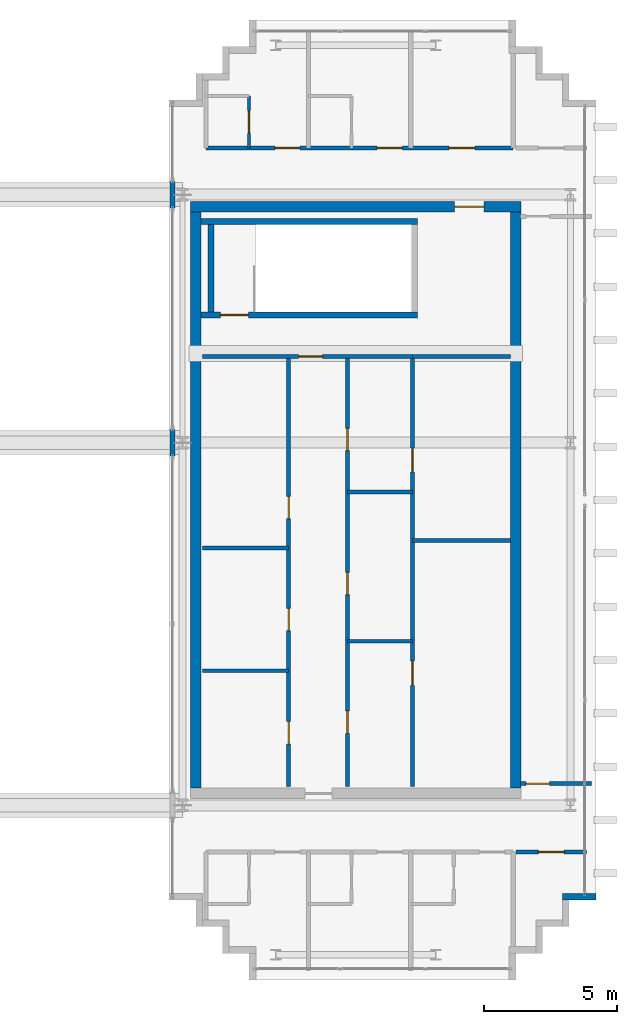
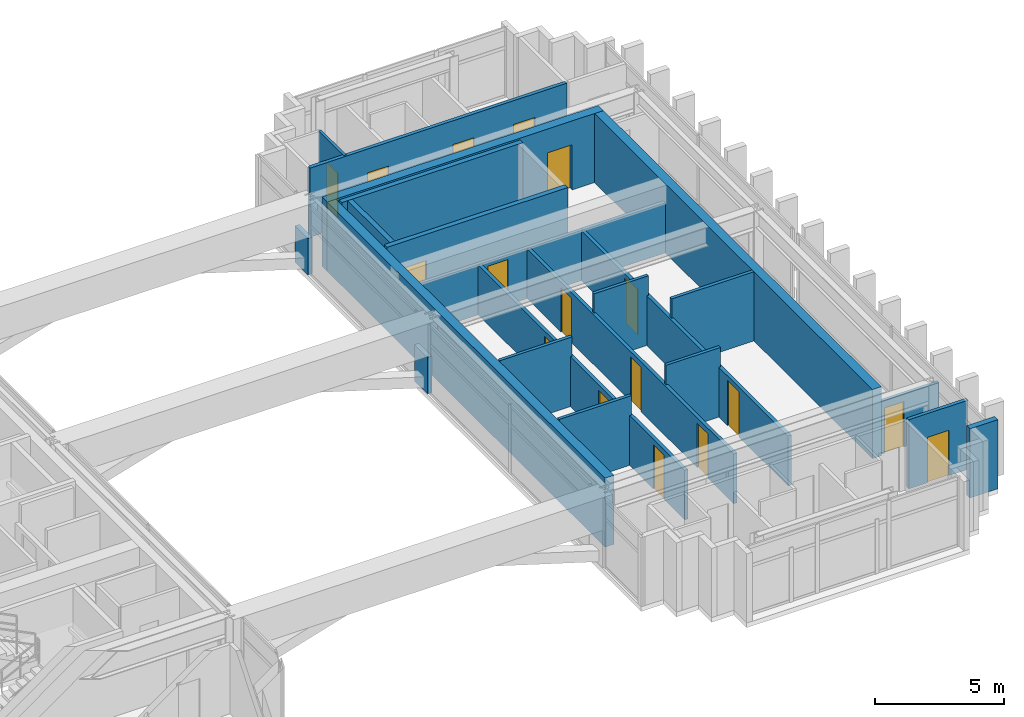
# One storey, part 25 of 28: 23 walls, 17 doors, 17 openings.
"""IFC4 building model written with IfcOpenShell, lengths in metres."""

from ifc_helpers import new_model, si_unit, direction, frame, frame_2d, origin, place, context, subcontext, project, spatial, rectangle, extrude, source, transform, mapped, material, layer, layer_set, type_object, element, fill, save


model = new_model("IFC4")

# Units and contexts
model_context = context("Model", 3, precision=1e-05, world=origin(), true_north=direction((0.0, 1.0)))
body_context = subcontext(model_context, "Body", "Model", "MODEL_VIEW")
ifc_project = project(units=[si_unit("LENGTHUNIT", "METRE"), si_unit("AREAUNIT", "SQUARE_METRE"), si_unit("VOLUMEUNIT", "CUBIC_METRE"), si_unit("PLANEANGLEUNIT", "RADIAN"), si_unit("MASSUNIT", "GRAM", prefix="KILO")], contexts=[model_context])

# Site, building, storey
site_placement = place(None, origin())
site = spatial("IfcSite", under=ifc_project, at=site_placement, CompositionType="ELEMENT")
building_placement = place(site_placement, origin())
building = spatial("IfcBuilding", under=site, at=building_placement, Name="Ocotamira Hotel", CompositionType="ELEMENT")
storey_placement = place(building_placement, frame((0.0, 0.0, 268.800048828125)))
storey = spatial("IfcBuildingStorey", under=building, at=storey_placement, Name="L68", CompositionType="ELEMENT", Elevation=268.800048828125)

# Wall, opening, door
ifc_material_1 = material(Name="Concrete C50/60", Category="concrete")
ifc_layer_1 = layer(ifc_material_1, 0.39990234375)
ifc_layer_set_1 = layer_set([ifc_layer_1], Name="Concrete C50/60")
wall_type_1 = type_object("IfcWallType", Name="WL-CORE-400", PredefinedType="SHEAR", material=ifc_layer_set_1)
wall_1_placement = place(storey_placement, frame((40.800048828125, 37.0, 0.0), z_axis=(0.0, 0.0, 1.0), x_axis=(1.0, 0.0, 0.0)))
wall_1 = element("IfcWall", 1, at=wall_1_placement, inside=storey, type_object=wall_type_1, Name="L68 Shear Core Wall ECORE-N", PredefinedType="SHEAR", context=body_context, shape_type="SweptSolid", body=[
    extrude(rectangle(XDim=12.39990234375, YDim=0.39990234375, at=frame_2d((6.199951171875, 0.0))), origin(), (0.0, 0.0, 1.0), 3.280029296875),
])
opening_1_placement = place(wall_1_placement, frame((9.89990234375, 0.0, 0.0)))
opening_1 = element("IfcOpeningElement", 2, at=opening_1_placement, cuts=wall_1, Name="Opening D-FR1", PredefinedType="OPENING", context=body_context, shape_type="SweptSolid", body=[
    extrude(rectangle(XDim=1.10009765625, YDim=2.14990234375, at=frame_2d((0.550048828125, 1.074951171875))), frame((0.0, 0.2099609375, 0.0), z_axis=(0.0, -1.0, 0.0), x_axis=(1.0, 0.0, 0.0)), (0.0, 0.0, 1.0), 0.419921875),
])
ifc_material_2 = material(Name="Fire-rated acoustic timber-veneer door", Category="wood")
door_type_1 = type_object("IfcDoorType", Name="DR-FIRE-1100", OperationType="NOTDEFINED", PredefinedType="DOOR", material=ifc_material_2)
shared_shape_1 = source(origin(), body_context, "Body", "SweptSolid", [
    extrude(rectangle(XDim=1.10009765625, YDim=2.14990234375, at=frame_2d((0.550048828125, 1.074951171875))), frame((0.0, 0.02490234375, 0.0), z_axis=(0.0, -1.0, 0.0), x_axis=(1.0, 0.0, 0.0)), (0.0, 0.0, 1.0), 0.050048828125),
])
door_1_placement = place(opening_1_placement, origin())
door_1 = element("IfcDoor", 3, at=door_1_placement, inside=storey, type_object=door_type_1, Name="L68 Door ID-L68-ELOB-N-D [ID-L68-ELOB-N-D]", OperationType="SINGLE_SWING_LEFT", OverallHeight=2.14990234375, OverallWidth=1.10009765625, PredefinedType="DOOR", context=body_context, shape_type="MappedRepresentation", body=[
    mapped(shared_shape_1, transform((0.0, 0.0, 0.0), scale=1.0)),
])
fill(opening_1, door_1)

# Walls
for number, where, z_axis, x_axis, name in (
    (4, (41.0, 15.199951171875, 0.0), (0.0, 0.0, 1.0), (0.0, 1.0, 0.0), "L68 Shear Core Wall ECORE-W"),
    (5, (53.0, 15.199951171875, 0.0), (0.0, 0.0, 1.0), (0.0, 1.0, 0.0), "L68 Shear Core Wall ECORE-E"),
):
    element("IfcWall", number, at=place(storey_placement, frame(where, z_axis=z_axis, x_axis=x_axis)), inside=storey, type_object=wall_type_1, Name=name, PredefinedType="SHEAR", context=body_context, shape_type="SweptSolid", body=[
        extrude(rectangle(XDim=21.60009765625, YDim=0.39990234375, at=frame_2d((10.800048828125, 0.0))), origin(), (0.0, 0.0, 1.0), 3.280029296875),
    ])
ifc_material_3 = material(Name="Precast concrete C45/55", Category="concrete")
ifc_layer_2 = layer(ifc_material_3, 0.25)
ifc_layer_set_2 = layer_set([ifc_layer_2], Name="Precast concrete C45/55")
wall_type_2 = type_object("IfcWallType", Name="WL-EXT-SER-250", PredefinedType="SOLIDWALL", material=ifc_layer_set_2)
wall_2_placement = place(storey_placement, frame((54.75, 11.125, 0.0), z_axis=(0.0, 0.0, 1.0), x_axis=(1.0, 0.0, 0.0)))
element("IfcWall", 6, at=wall_2_placement, inside=storey, type_object=wall_type_2, Name="L68 -E Serrated Corner Wall 06", PredefinedType="SOLIDWALL", context=body_context, shape_type="SweptSolid", body=[
    extrude(rectangle(XDim=1.25, YDim=0.25, at=frame_2d((0.625, 0.0))), origin(), (0.0, 0.0, 1.0), 3.280029296875),
])
ifc_material_4 = material(Name="Acoustic double-layer fire gypsum board partition", Category="gypsum")
ifc_layer_3 = layer(ifc_material_4, 0.159912109375)
ifc_layer_set_3 = layer_set([ifc_layer_3], Name="Acoustic double-layer fire gypsum board partition")
wall_type_3 = type_object("IfcWallType", Name="WL-FIRE-160", PredefinedType="PARTITIONING", material=ifc_layer_set_3)
wall_3_placement = place(storey_placement, frame((49.1201171875, 31.3798828125, 0.0), z_axis=(0.0, 0.0, 1.0), x_axis=(1.0, 0.0, 0.0)))
element("IfcWall", 7, at=wall_3_placement, inside=storey, type_object=wall_type_3, Name="L68 Interior Wall PW-L68-EC-FLOW-N", PredefinedType="PARTITIONING", context=body_context, shape_type="SweptSolid", body=[
    extrude(rectangle(XDim=3.679931640625, YDim=0.159912109375, at=frame_2d((1.83984375, 0.0))), origin(), (0.0, 0.0, 1.0), 2.3798828125),
])

# Wall, openings, doors
wall_4_placement = place(storey_placement, frame((49.1201171875, 15.25, 0.0), z_axis=(0.0, 0.0, 1.0), x_axis=(0.0, 1.0, 0.0)))
wall_4 = element("IfcWall", 8, at=wall_4_placement, inside=storey, type_object=wall_type_3, Name="L68 Interior Wall PW-L68-EC-FLOW-W", PredefinedType="PARTITIONING", context=body_context, shape_type="SweptSolid", body=[
    extrude(rectangle(XDim=16.1298828125, YDim=0.159912109375, at=frame_2d((8.06494140625, 0.0))), origin(), (0.0, 0.0, 1.0), 2.35986328125),
])
opening_2_placement = place(wall_4_placement, frame((3.800048828125, 0.0, 0.0)))
opening_2 = element("IfcOpeningElement", 9, at=opening_2_placement, cuts=wall_4, Name="Opening D-SV3", PredefinedType="OPENING", context=body_context, shape_type="SweptSolid", body=[
    extrude(rectangle(XDim=0.919921875, YDim=2.14990234375, at=frame_2d((0.4599609375, 1.074951171875))), frame((0.0, 0.08984375, 0.0), z_axis=(0.0, -1.0, 0.0), x_axis=(1.0, 0.0, 0.0)), (0.0, 0.0, 1.0), 0.179931640625),
])
opening_3_placement = place(wall_4_placement, frame((11.800048828125, 0.0, 0.0)))
opening_3 = element("IfcOpeningElement", 10, at=opening_3_placement, cuts=wall_4, Name="Opening D-IN3", PredefinedType="OPENING", context=body_context, shape_type="SweptSolid", body=[
    extrude(rectangle(XDim=0.89990234375, YDim=2.14990234375, at=frame_2d((0.449951171875, 1.074951171875))), frame((0.0, 0.08984375, 0.0), z_axis=(0.0, -1.0, 0.0), x_axis=(1.0, 0.0, 0.0)), (0.0, 0.0, 1.0), 0.179931640625),
])
ifc_material_5 = material(Name="Painted service room door", Category="steel")
door_type_2 = type_object("IfcDoorType", Name="DR-INT-900", OperationType="NOTDEFINED", PredefinedType="DOOR", material=ifc_material_5)
shared_shape_2 = source(origin(), body_context, "Body", "SweptSolid", [
    extrude(rectangle(XDim=0.89990234375, YDim=2.14990234375, at=frame_2d((0.449951171875, 1.074951171875))), frame((0.0, 0.02490234375, 0.0), z_axis=(0.0, -1.0, 0.0), x_axis=(1.0, 0.0, 0.0)), (0.0, 0.0, 1.0), 0.050048828125),
])
door_2_placement = place(opening_3_placement, origin())
door_2 = element("IfcDoor", 11, at=door_2_placement, inside=storey, type_object=door_type_2, Name="L68 Door ID-L68-EC-FLOW-DB [ID-L68-EC-FLOW-DB]", OperationType="SINGLE_SWING_RIGHT", OverallHeight=2.14990234375, OverallWidth=0.89990234375, PredefinedType="DOOR", context=body_context, shape_type="MappedRepresentation", body=[
    mapped(shared_shape_2, transform((0.0, 0.0, 0.0), scale=1.0)),
])
fill(opening_3, door_2)
ifc_material_6 = material(Name="Fire-rated walnut hospitality door", Category="wood")
door_type_3 = type_object("IfcDoorType", Name="DR-SERV-920", OperationType="NOTDEFINED", PredefinedType="DOOR", material=ifc_material_6)
shared_shape_3 = source(origin(), body_context, "Body", "SweptSolid", [
    extrude(rectangle(XDim=0.919921875, YDim=2.14990234375, at=frame_2d((0.4599609375, 1.074951171875))), frame((0.0, 0.02490234375, 0.0), z_axis=(0.0, -1.0, 0.0), x_axis=(1.0, 0.0, 0.0)), (0.0, 0.0, 1.0), 0.050048828125),
])
door_3_placement = place(opening_2_placement, origin())
door_3 = element("IfcDoor", 12, at=door_3_placement, inside=storey, type_object=door_type_3, Name="L68 Door ID-L68-EC-FLOW-DA [ID-L68-EC-FLOW-DA]", OperationType="SINGLE_SWING_LEFT", OverallHeight=2.14990234375, OverallWidth=0.919921875, PredefinedType="DOOR", context=body_context, shape_type="MappedRepresentation", body=[
    mapped(shared_shape_3, transform((0.0, 0.0, 0.0), scale=1.0)),
])
fill(opening_2, door_3)

wall_5_placement = place(storey_placement, frame((41.3798828125, 39.199951171875, 0.0), z_axis=(0.0, 0.0, 1.0), x_axis=(1.0, 0.0, 0.0)))
wall_5 = element("IfcWall", 13, at=wall_5_placement, inside=storey, type_object=wall_type_3, Name="L68 Interior Wall PW-L68-SPE2N-CORRW", PredefinedType="PARTITIONING", context=body_context, shape_type="SweptSolid", body=[
    extrude(rectangle(XDim=11.52001953125, YDim=0.159912109375, at=frame_2d((5.760009765625, 0.0))), origin(), (0.0, 0.0, 1.0), 3.280029296875),
])
opening_4_placement = place(wall_5_placement, frame((2.580078125, 0.0, 0.0)))
opening_4 = element("IfcOpeningElement", 14, at=opening_4_placement, cuts=wall_5, Name="Opening D-GR1", PredefinedType="OPENING", context=body_context, shape_type="SweptSolid", body=[
    extrude(rectangle(XDim=0.93994140625, YDim=2.14990234375, at=frame_2d((0.469970703125, 1.074951171875))), frame((0.0, 0.08984375, 0.0), z_axis=(0.0, -1.0, 0.0), x_axis=(1.0, 0.0, 0.0)), (0.0, 0.0, 1.0), 0.179931640625),
])
opening_5_placement = place(wall_5_placement, frame((6.419921875, 0.0, 0.0)))
opening_5 = element("IfcOpeningElement", 15, at=opening_5_placement, cuts=wall_5, Name="Opening D-GR1", PredefinedType="OPENING", context=body_context, shape_type="SweptSolid", body=[
    extrude(rectangle(XDim=0.93994140625, YDim=2.14990234375, at=frame_2d((0.469970703125, 1.074951171875))), frame((0.0, 0.08984375, 0.0), z_axis=(0.0, -1.0, 0.0), x_axis=(1.0, 0.0, 0.0)), (0.0, 0.0, 1.0), 0.179931640625),
])
opening_6_placement = place(wall_5_placement, frame((9.1201171875, 0.0, 0.0)))
opening_6 = element("IfcOpeningElement", 16, at=opening_6_placement, cuts=wall_5, Name="Opening D-SV4", PredefinedType="OPENING", context=body_context, shape_type="SweptSolid", body=[
    extrude(rectangle(XDim=0.9599609375, YDim=2.14990234375, at=frame_2d((0.47998046875, 1.074951171875))), frame((0.0, 0.08984375, 0.0), z_axis=(0.0, -1.0, 0.0), x_axis=(1.0, 0.0, 0.0)), (0.0, 0.0, 1.0), 0.179931640625),
])
ifc_material_7 = material(Name="Fire-rated accessible walnut salon door", Category="wood")
door_type_4 = type_object("IfcDoorType", Name="DR-SERV-960", OperationType="NOTDEFINED", PredefinedType="DOOR", material=ifc_material_7)
shared_shape_4 = source(origin(), body_context, "Body", "SweptSolid", [
    extrude(rectangle(XDim=0.9599609375, YDim=2.14990234375, at=frame_2d((0.47998046875, 1.074951171875))), frame((0.0, 0.02490234375, 0.0), z_axis=(0.0, -1.0, 0.0), x_axis=(1.0, 0.0, 0.0)), (0.0, 0.0, 1.0), 0.050048828125),
])
door_4_placement = place(opening_6_placement, origin())
door_4 = element("IfcDoor", 17, at=door_4_placement, inside=storey, type_object=door_type_4, Name="L68 Door ID-L68-SPE2N-AMD3 [ID-L68-SPE2N-AMD3]", OperationType="SINGLE_SWING_LEFT", OverallHeight=2.14990234375, OverallWidth=0.9599609375, PredefinedType="DOOR", context=body_context, shape_type="MappedRepresentation", body=[
    mapped(shared_shape_4, transform((0.0, 0.0, 0.0), scale=1.0)),
])
fill(opening_6, door_4)
ifc_material_8 = material(Name="Solid-core walnut suite entrance fire door", Category="wood")
door_type_5 = type_object("IfcDoorType", Name="DR-GUEST-940", OperationType="NOTDEFINED", PredefinedType="DOOR", material=ifc_material_8)
shared_shape_5 = source(origin(), body_context, "Body", "SweptSolid", [
    extrude(rectangle(XDim=0.93994140625, YDim=2.14990234375, at=frame_2d((0.469970703125, 1.074951171875))), frame((0.0, 0.02490234375, 0.0), z_axis=(0.0, -1.0, 0.0), x_axis=(1.0, 0.0, 0.0)), (0.0, 0.0, 1.0), 0.050048828125),
])
door_5_placement = place(opening_4_placement, origin())
door_5 = element("IfcDoor", 18, at=door_5_placement, inside=storey, type_object=door_type_5, Name="L68 Door ID-L68-SPE2N-RMD1 [ID-L68-SPE2N-RMD1]", OperationType="SINGLE_SWING_LEFT", OverallHeight=2.14990234375, OverallWidth=0.93994140625, PredefinedType="DOOR", context=body_context, shape_type="MappedRepresentation", body=[
    mapped(shared_shape_5, transform((0.0, 0.0, 0.0), scale=1.0)),
])
fill(opening_4, door_5)
door_6_placement = place(opening_5_placement, origin())
door_6 = element("IfcDoor", 19, at=door_6_placement, inside=storey, type_object=door_type_5, Name="L68 Door ID-L68-SPE2N-RMD2 [ID-L68-SPE2N-RMD2]", OperationType="SINGLE_SWING_RIGHT", OverallHeight=2.14990234375, OverallWidth=0.93994140625, PredefinedType="DOOR", context=body_context, shape_type="MappedRepresentation", body=[
    mapped(shared_shape_5, transform((0.0, 0.0, 0.0), scale=1.0)),
])
fill(opening_5, door_6)

# Wall, opening, door
wall_6_placement = place(storey_placement, frame((53.0, 12.800048828125, 0.0), z_axis=(0.0, 0.0, 1.0), x_axis=(1.0, 0.0, 0.0)))
wall_6 = element("IfcWall", 20, at=wall_6_placement, inside=storey, type_object=wall_type_3, Name="L68 Interior Wall PW-L68-SPCSE2-CW", PredefinedType="PARTITIONING", context=body_context, shape_type="SweptSolid", body=[
    extrude(rectangle(XDim=2.64990234375, YDim=0.159912109375, at=frame_2d((1.324951171875, 0.0))), origin(), (0.0, 0.0, 1.0), 3.280029296875),
])
opening_7_placement = place(wall_6_placement, frame((0.844970703125, 0.0, 0.0)))
opening_7 = element("IfcOpeningElement", 21, at=opening_7_placement, cuts=wall_6, Name="Opening D-SV4", PredefinedType="OPENING", context=body_context, shape_type="SweptSolid", body=[
    extrude(rectangle(XDim=0.9599609375, YDim=2.14990234375, at=frame_2d((0.47998046875, 1.074951171875))), frame((0.0, 0.08984375, 0.0), z_axis=(0.0, -1.0, 0.0), x_axis=(1.0, 0.0, 0.0)), (0.0, 0.0, 1.0), 0.179931640625),
])
door_7_placement = place(opening_7_placement, origin())
door_7 = element("IfcDoor", 22, at=door_7_placement, inside=storey, type_object=door_type_4, Name="L68 Door ID-L68-SPCSE2-CD [ID-L68-SPCSE2-CD]", OperationType="SINGLE_SWING_LEFT", OverallHeight=2.14990234375, OverallWidth=0.9599609375, PredefinedType="DOOR", context=body_context, shape_type="MappedRepresentation", body=[
    mapped(shared_shape_4, transform((0.0, 0.0, 0.0), scale=1.0)),
])
fill(opening_7, door_7)

# Walls
ifc_layer_4 = layer(ifc_material_3, 0.219970703125)
ifc_layer_set_4 = layer_set([ifc_layer_4], Name="Precast concrete C45/55")
wall_type_4 = type_object("IfcWallType", Name="WL-PARA-220", PredefinedType="PARAPET", material=ifc_layer_set_4)
for number, where, z_axis, x_axis, name in (
    (23, (40.1201171875, 27.64990234375, 0.0), (0.0, 0.0, 1.0), (0.0, 1.0, 0.0), "L68 Split-Wing Column Spandrel Closure E2"),
    (24, (40.1201171875, 36.949951171875, 0.0), (0.0, 0.0, 1.0), (0.0, 1.0, 0.0), "L68 Split-Wing Column Spandrel Closure E3"),
):
    element("IfcWall", number, at=place(storey_placement, frame(where, z_axis=z_axis, x_axis=x_axis)), inside=storey, type_object=wall_type_4, Name=name, PredefinedType="PARAPET", context=body_context, shape_type="SweptSolid", body=[
        extrude(rectangle(XDim=1.0, YDim=0.199951171875, at=frame_2d((0.5, 0.0))), origin(), (0.0, 0.0, 1.0), 1.72998046875),
    ])

# Wall, opening, door
ifc_material_9 = material(Name="Moisture-resistant en-suite tile and gypsum partition", Category="gypsum")
ifc_layer_5 = layer(ifc_material_9, 0.1201171875)
ifc_layer_set_5 = layer_set([ifc_layer_5], Name="Moisture-resistant en-suite tile and gypsum partition")
wall_type_5 = type_object("IfcWallType", Name="WL-PART-120", PredefinedType="PARTITIONING", material=ifc_layer_set_5)
wall_7_placement = place(storey_placement, frame((42.989990234375, 39.199951171875, 0.0), z_axis=(0.0, 0.0, 1.0), x_axis=(0.0, 1.0, 0.0)))
wall_7 = element("IfcWall", 25, at=wall_7_placement, inside=storey, type_object=wall_type_5, Name="L68 Interior Wall PW-L68-SPE2N-BAE1", PredefinedType="PARTITIONING", context=body_context, shape_type="SweptSolid", body=[
    extrude(rectangle(XDim=1.949951171875, YDim=0.1201171875, at=frame_2d((0.97509765625, 0.0))), origin(), (0.0, 0.0, 1.0), 3.280029296875),
])
opening_8_placement = place(wall_7_placement, frame((0.544921875, 0.0, 0.0)))
opening_8 = element("IfcOpeningElement", 26, at=opening_8_placement, cuts=wall_7, Name="Opening D-BA1", PredefinedType="OPENING", context=body_context, shape_type="SweptSolid", body=[
    extrude(rectangle(XDim=0.860107421875, YDim=2.10009765625, at=frame_2d((0.43017578125, 1.050048828125))), frame((0.0, 0.070068359375, 0.0), z_axis=(0.0, -1.0, 0.0), x_axis=(1.0, 0.0, 0.0)), (0.0, 0.0, 1.0), 0.14013671875),
])
ifc_material_10 = material(Name="Moisture-sealed en-suite timber door", Category="wood")
door_type_6 = type_object("IfcDoorType", Name="DR-BATH-860", OperationType="NOTDEFINED", PredefinedType="DOOR", material=ifc_material_10)
shared_shape_6 = source(origin(), body_context, "Body", "SweptSolid", [
    extrude(rectangle(XDim=0.860107421875, YDim=2.10009765625, at=frame_2d((0.43017578125, 1.050048828125))), frame((0.0, 0.02490234375, 0.0), z_axis=(0.0, -1.0, 0.0), x_axis=(1.0, 0.0, 0.0)), (0.0, 0.0, 1.0), 0.050048828125),
])
door_8_placement = place(opening_8_placement, origin())
door_8 = element("IfcDoor", 27, at=door_8_placement, inside=storey, type_object=door_type_6, Name="L68 Door ID-L68-SPE2N-BAD1 [ID-L68-SPE2N-BAD1]", OperationType="SINGLE_SWING_RIGHT", OverallHeight=2.10009765625, OverallWidth=0.860107421875, PredefinedType="DOOR", context=body_context, shape_type="MappedRepresentation", body=[
    mapped(shared_shape_6, transform((0.0, 0.0, 0.0), scale=1.0)),
])
fill(opening_8, door_8)

# Walls
ifc_material_11 = material(Name="Acoustic hospitality gypsum board partition", Category="gypsum")
ifc_layer_6 = layer(ifc_material_11, 0.14208984375)
ifc_layer_set_6 = layer_set([ifc_layer_6], Name="Acoustic hospitality gypsum board partition")
wall_type_6 = type_object("IfcWallType", Name="WL-PART-142", PredefinedType="PARTITIONING", material=ifc_layer_set_6)
for number, where, z_axis, x_axis, name in (
    (28, (46.679931640625, 20.699951171875, 0.0), (0.0, 0.0, 1.0), (1.0, 0.0, 0.0), "L68 Interior Wall PW-L68-EC-HDIVA"),
    (29, (46.679931640625, 26.300048828125, 0.0), (0.0, 0.0, 1.0), (1.0, 0.0, 0.0), "L68 Interior Wall PW-L68-EC-HDIVB"),
):
    element("IfcWall", number, at=place(storey_placement, frame(where, z_axis=z_axis, x_axis=x_axis)), inside=storey, type_object=wall_type_6, Name=name, PredefinedType="PARTITIONING", context=body_context, shape_type="SweptSolid", body=[
        extrude(rectangle(XDim=2.440185546875, YDim=0.14208984375, at=frame_2d((1.22021484375, 0.0))), origin(), (0.0, 0.0, 1.0), 3.280029296875),
    ])
for number, where, z_axis, x_axis, name in (
    (30, (41.25, 19.60009765625, 0.0), (0.0, 0.0, 1.0), (1.0, 0.0, 0.0), "L68 Interior Wall PW-L68-EC-FMD1"),
    (31, (41.25, 24.199951171875, 0.0), (0.0, 0.0, 1.0), (1.0, 0.0, 0.0), "L68 Interior Wall PW-L68-EC-FMD2"),
):
    element("IfcWall", number, at=place(storey_placement, frame(where, z_axis=z_axis, x_axis=x_axis)), inside=storey, type_object=wall_type_6, Name=name, PredefinedType="PARTITIONING", context=body_context, shape_type="SweptSolid", body=[
        extrude(rectangle(XDim=3.22998046875, YDim=0.14208984375, at=frame_2d((1.614990234375, 0.0))), origin(), (0.0, 0.0, 1.0), 3.280029296875),
    ])

# Wall, opening, door
ifc_layer_7 = layer(ifc_material_11, 0.14990234375)
ifc_layer_set_7 = layer_set([ifc_layer_7], Name="Acoustic hospitality gypsum board partition")
wall_type_7 = type_object("IfcWallType", Name="WL-PART-150", PredefinedType="PARTITIONING", material=ifc_layer_set_7)
wall_8_placement = place(storey_placement, frame((41.25, 31.3798828125, 0.0), z_axis=(0.0, 0.0, 1.0), x_axis=(1.0, 0.0, 0.0)))
wall_8 = element("IfcWall", 32, at=wall_8_placement, inside=storey, type_object=wall_type_7, Name="L68 Interior Wall PW-L68-EC-HMT-N", PredefinedType="PARTITIONING", context=body_context, shape_type="SweptSolid", body=[
    extrude(rectangle(XDim=7.8701171875, YDim=0.14990234375, at=frame_2d((3.93505859375, 0.0))), origin(), (0.0, 0.0, 1.0), 2.3798828125),
])
opening_9_placement = place(wall_8_placement, frame((3.60009765625, 0.0, 0.0)))
opening_9 = element("IfcOpeningElement", 33, at=opening_9_placement, cuts=wall_8, Name="Opening D-IN3", PredefinedType="OPENING", context=body_context, shape_type="SweptSolid", body=[
    extrude(rectangle(XDim=0.89990234375, YDim=2.14990234375, at=frame_2d((0.449951171875, 1.074951171875))), frame((0.0, 0.0849609375, 0.0), z_axis=(0.0, -1.0, 0.0), x_axis=(1.0, 0.0, 0.0)), (0.0, 0.0, 1.0), 0.169921875),
])
door_9_placement = place(opening_9_placement, origin())
door_9 = element("IfcDoor", 34, at=door_9_placement, inside=storey, type_object=door_type_2, Name="L68 Door ID-L68-EC-MGALD [ID-L68-EC-MGALD]", OperationType="SINGLE_SWING_LEFT", OverallHeight=2.14990234375, OverallWidth=0.89990234375, PredefinedType="DOOR", context=body_context, shape_type="MappedRepresentation", body=[
    mapped(shared_shape_2, transform((0.0, 0.0, 0.0), scale=1.0)),
])
fill(opening_9, door_9)

# Wall, openings, doors
wall_9_placement = place(storey_placement, frame((46.679931640625, 15.25, 0.0), z_axis=(0.0, 0.0, 1.0), x_axis=(0.0, 1.0, 0.0)))
wall_9 = element("IfcWall", 35, at=wall_9_placement, inside=storey, type_object=wall_type_7, Name="L68 Interior Wall PW-L68-EC-HMT-W", PredefinedType="PARTITIONING", context=body_context, shape_type="SweptSolid", body=[
    extrude(rectangle(XDim=16.1298828125, YDim=0.14990234375, at=frame_2d((8.06494140625, 0.0))), origin(), (0.0, 0.0, 1.0), 2.35986328125),
])
opening_10_placement = place(wall_9_placement, frame((2.0, 0.0, 0.0)))
opening_10 = element("IfcOpeningElement", 36, at=opening_10_placement, cuts=wall_9, Name="Opening D-SV1", PredefinedType="OPENING", context=body_context, shape_type="SweptSolid", body=[
    extrude(rectangle(XDim=0.840087890625, YDim=2.10009765625, at=frame_2d((0.419921875, 1.050048828125))), frame((0.0, 0.0849609375, 0.0), z_axis=(0.0, -1.0, 0.0), x_axis=(1.0, 0.0, 0.0)), (0.0, 0.0, 1.0), 0.169921875),
])
opening_11_placement = place(wall_9_placement, frame((7.199951171875, 0.0, 0.0)))
opening_11 = element("IfcOpeningElement", 37, at=opening_11_placement, cuts=wall_9, Name="Opening D-SV1", PredefinedType="OPENING", context=body_context, shape_type="SweptSolid", body=[
    extrude(rectangle(XDim=0.840087890625, YDim=2.10009765625, at=frame_2d((0.419921875, 1.050048828125))), frame((0.0, 0.0849609375, 0.0), z_axis=(0.0, -1.0, 0.0), x_axis=(1.0, 0.0, 0.0)), (0.0, 0.0, 1.0), 0.169921875),
])
opening_12_placement = place(wall_9_placement, frame((12.60009765625, 0.0, 0.0)))
opening_12 = element("IfcOpeningElement", 38, at=opening_12_placement, cuts=wall_9, Name="Opening D-SV1", PredefinedType="OPENING", context=body_context, shape_type="SweptSolid", body=[
    extrude(rectangle(XDim=0.840087890625, YDim=2.10009765625, at=frame_2d((0.419921875, 1.050048828125))), frame((0.0, 0.0849609375, 0.0), z_axis=(0.0, -1.0, 0.0), x_axis=(1.0, 0.0, 0.0)), (0.0, 0.0, 1.0), 0.169921875),
])
ifc_material_12 = material(Name="Fire-rated painted steel service door", Category="steel")
door_type_7 = type_object("IfcDoorType", Name="DR-SERV-840", OperationType="NOTDEFINED", PredefinedType="DOOR", material=ifc_material_12)
shared_shape_7 = source(origin(), body_context, "Body", "SweptSolid", [
    extrude(rectangle(XDim=0.840087890625, YDim=2.10009765625, at=frame_2d((0.419921875, 1.050048828125))), frame((0.0, 0.02490234375, 0.0), z_axis=(0.0, -1.0, 0.0), x_axis=(1.0, 0.0, 0.0)), (0.0, 0.0, 1.0), 0.050048828125),
])
door_10_placement = place(opening_10_placement, origin())
door_10 = element("IfcDoor", 39, at=door_10_placement, inside=storey, type_object=door_type_7, Name="L68 Door ID-L68-EC-HMTDA [ID-L68-EC-HMTDA]", OperationType="SINGLE_SWING_LEFT", OverallHeight=2.10009765625, OverallWidth=0.840087890625, PredefinedType="DOOR", context=body_context, shape_type="MappedRepresentation", body=[
    mapped(shared_shape_7, transform((0.0, 0.0, 0.0), scale=1.0)),
])
fill(opening_10, door_10)
door_11_placement = place(opening_11_placement, origin())
door_11 = element("IfcDoor", 40, at=door_11_placement, inside=storey, type_object=door_type_7, Name="L68 Door ID-L68-EC-HMTDB [ID-L68-EC-HMTDB]", OperationType="SINGLE_SWING_RIGHT", OverallHeight=2.10009765625, OverallWidth=0.840087890625, PredefinedType="DOOR", context=body_context, shape_type="MappedRepresentation", body=[
    mapped(shared_shape_7, transform((0.0, 0.0, 0.0), scale=1.0)),
])
fill(opening_11, door_11)
door_12_placement = place(opening_12_placement, origin())
door_12 = element("IfcDoor", 41, at=door_12_placement, inside=storey, type_object=door_type_7, Name="L68 Door ID-L68-EC-HMTDC [ID-L68-EC-HMTDC]", OperationType="SINGLE_SWING_LEFT", OverallHeight=2.10009765625, OverallWidth=0.840087890625, PredefinedType="DOOR", context=body_context, shape_type="MappedRepresentation", body=[
    mapped(shared_shape_7, transform((0.0, 0.0, 0.0), scale=1.0)),
])
fill(opening_12, door_12)

# Wall
wall_10_placement = place(storey_placement, frame((49.1201171875, 24.489990234375, 0.0), z_axis=(0.0, 0.0, 1.0), x_axis=(1.0, 0.0, 0.0)))
element("IfcWall", 42, at=wall_10_placement, inside=storey, type_object=wall_type_7, Name="L68 Interior Wall PW-L68-EC-FDIVA", PredefinedType="PARTITIONING", context=body_context, shape_type="SweptSolid", body=[
    extrude(rectangle(XDim=3.679931640625, YDim=0.14990234375, at=frame_2d((1.83984375, 0.0))), origin(), (0.0, 0.0, 1.0), 3.280029296875),
])

# Wall, openings, doors
wall_11_placement = place(storey_placement, frame((44.47998046875, 15.25, 0.0), z_axis=(0.0, 0.0, 1.0), x_axis=(0.0, 1.0, 0.0)))
wall_11 = element("IfcWall", 43, at=wall_11_placement, inside=storey, type_object=wall_type_7, Name="L68 Interior Wall PW-L68-EC-FMID-E", PredefinedType="PARTITIONING", context=body_context, shape_type="SweptSolid", body=[
    extrude(rectangle(XDim=16.1298828125, YDim=0.14990234375, at=frame_2d((8.06494140625, 0.0))), origin(), (0.0, 0.0, 1.0), 2.35986328125),
])
opening_13_placement = place(wall_11_placement, frame((1.60009765625, 0.0, 0.0)))
opening_13 = element("IfcOpeningElement", 44, at=opening_13_placement, cuts=wall_11, Name="Opening D-SV1", PredefinedType="OPENING", context=body_context, shape_type="SweptSolid", body=[
    extrude(rectangle(XDim=0.840087890625, YDim=2.10009765625, at=frame_2d((0.419921875, 1.050048828125))), frame((0.0, 0.0849609375, 0.0), z_axis=(0.0, -1.0, 0.0), x_axis=(1.0, 0.0, 0.0)), (0.0, 0.0, 1.0), 0.169921875),
])
opening_14_placement = place(wall_11_placement, frame((5.85009765625, 0.0, 0.0)))
opening_14 = element("IfcOpeningElement", 45, at=opening_14_placement, cuts=wall_11, Name="Opening D-SV1", PredefinedType="OPENING", context=body_context, shape_type="SweptSolid", body=[
    extrude(rectangle(XDim=0.840087890625, YDim=2.10009765625, at=frame_2d((0.419921875, 1.050048828125))), frame((0.0, 0.0849609375, 0.0), z_axis=(0.0, -1.0, 0.0), x_axis=(1.0, 0.0, 0.0)), (0.0, 0.0, 1.0), 0.169921875),
])
opening_15_placement = place(wall_11_placement, frame((10.050048828125, 0.0, 0.0)))
opening_15 = element("IfcOpeningElement", 46, at=opening_15_placement, cuts=wall_11, Name="Opening D-SV1", PredefinedType="OPENING", context=body_context, shape_type="SweptSolid", body=[
    extrude(rectangle(XDim=0.840087890625, YDim=2.10009765625, at=frame_2d((0.419921875, 1.050048828125))), frame((0.0, 0.0849609375, 0.0), z_axis=(0.0, -1.0, 0.0), x_axis=(1.0, 0.0, 0.0)), (0.0, 0.0, 1.0), 0.169921875),
])
door_13_placement = place(opening_13_placement, origin())
door_13 = element("IfcDoor", 47, at=door_13_placement, inside=storey, type_object=door_type_7, Name="L68 Door ID-L68-EC-FMD-1 [ID-L68-EC-FMD-1]", OperationType="SINGLE_SWING_LEFT", OverallHeight=2.10009765625, OverallWidth=0.840087890625, PredefinedType="DOOR", context=body_context, shape_type="MappedRepresentation", body=[
    mapped(shared_shape_7, transform((0.0, 0.0, 0.0), scale=1.0)),
])
fill(opening_13, door_13)
door_14_placement = place(opening_14_placement, origin())
door_14 = element("IfcDoor", 48, at=door_14_placement, inside=storey, type_object=door_type_7, Name="L68 Door ID-L68-EC-FMD-2 [ID-L68-EC-FMD-2]", OperationType="SINGLE_SWING_RIGHT", OverallHeight=2.10009765625, OverallWidth=0.840087890625, PredefinedType="DOOR", context=body_context, shape_type="MappedRepresentation", body=[
    mapped(shared_shape_7, transform((0.0, 0.0, 0.0), scale=1.0)),
])
fill(opening_14, door_14)
door_15_placement = place(opening_15_placement, origin())
door_15 = element("IfcDoor", 49, at=door_15_placement, inside=storey, type_object=door_type_7, Name="L68 Door ID-L68-EC-FMD-3 [ID-L68-EC-FMD-3]", OperationType="SINGLE_SWING_LEFT", OverallHeight=2.10009765625, OverallWidth=0.840087890625, PredefinedType="DOOR", context=body_context, shape_type="MappedRepresentation", body=[
    mapped(shared_shape_7, transform((0.0, 0.0, 0.0), scale=1.0)),
])
fill(opening_15, door_15)

# Wall, opening, door
wall_12_placement = place(storey_placement, frame((53.179931640625, 15.360107421875, 0.0), z_axis=(0.0, 0.0, 1.0), x_axis=(1.0, 0.0, 0.0)))
wall_12 = element("IfcWall", 50, at=wall_12_placement, inside=storey, type_object=wall_type_7, Name="L68 Interior Wall PW-L68-SP2E-WS", PredefinedType="PARTITIONING", context=body_context, shape_type="SweptSolid", body=[
    extrude(rectangle(XDim=2.66015625, YDim=0.14990234375, at=frame_2d((1.330078125, 0.0))), origin(), (0.0, 0.0, 1.0), 2.5009765625),
])
opening_16_placement = place(wall_12_placement, frame((0.199951171875, 0.0, 0.0)))
opening_16 = element("IfcOpeningElement", 51, at=opening_16_placement, cuts=wall_12, Name="Opening D-SV2", PredefinedType="OPENING", context=body_context, shape_type="SweptSolid", body=[
    extrude(rectangle(XDim=0.8798828125, YDim=2.14990234375, at=frame_2d((0.43994140625, 1.074951171875))), frame((0.0, 0.0849609375, 0.0), z_axis=(0.0, -1.0, 0.0), x_axis=(1.0, 0.0, 0.0)), (0.0, 0.0, 1.0), 0.169921875),
])
door_type_8 = type_object("IfcDoorType", Name="DR-SERV-880", OperationType="NOTDEFINED", PredefinedType="DOOR", material=ifc_material_12)
shared_shape_8 = source(origin(), body_context, "Body", "SweptSolid", [
    extrude(rectangle(XDim=0.8798828125, YDim=2.14990234375, at=frame_2d((0.43994140625, 1.074951171875))), frame((0.0, 0.02490234375, 0.0), z_axis=(0.0, -1.0, 0.0), x_axis=(1.0, 0.0, 0.0)), (0.0, 0.0, 1.0), 0.050048828125),
])
door_16_placement = place(opening_16_placement, origin())
door_16 = element("IfcDoor", 52, at=door_16_placement, inside=storey, type_object=door_type_8, Name="L68 Door ID-L68-SP2E-DS [ID-L68-SP2E-DS]", OperationType="SINGLE_SWING_RIGHT", OverallHeight=2.14990234375, OverallWidth=0.8798828125, PredefinedType="DOOR", context=body_context, shape_type="MappedRepresentation", body=[
    mapped(shared_shape_8, transform((0.0, 0.0, 0.0), scale=1.0)),
])
fill(opening_16, door_16)

ifc_layer_8 = layer(ifc_material_1, 0.219970703125)
ifc_layer_set_8 = layer_set([ifc_layer_8], Name="Concrete C50/60")
wall_type_8 = type_object("IfcWallType", Name="WL-STAIR-220", PredefinedType="SHEAR", material=ifc_layer_set_8)
wall_13_placement = place(storey_placement, frame((41.199951171875, 32.93994140625, 0.0), z_axis=(0.0, 0.0, 1.0), x_axis=(1.0, 0.0, 0.0)))
wall_13 = element("IfcWall", 53, at=wall_13_placement, inside=storey, type_object=wall_type_8, Name="L68 Stair Shaft Structural Wall ST-4-S", PredefinedType="SHEAR", context=body_context, shape_type="SweptSolid", body=[
    extrude(rectangle(XDim=8.110107421875, YDim=0.219970703125, at=frame_2d((4.05517578125, 0.0))), origin(), (0.0, 0.0, 1.0), 3.39990234375),
])
opening_17_placement = place(wall_13_placement, frame((0.719970703125, 0.0, 0.0)))
opening_17 = element("IfcOpeningElement", 54, at=opening_17_placement, cuts=wall_13, Name="Opening D-ST2", PredefinedType="OPENING", context=body_context, shape_type="SweptSolid", body=[
    extrude(rectangle(XDim=1.050048828125, YDim=2.14990234375, at=frame_2d((0.52490234375, 1.074951171875))), frame((0.0, 0.1201171875, 0.0), z_axis=(0.0, -1.0, 0.0), x_axis=(1.0, 0.0, 0.0)), (0.0, 0.0, 1.0), 0.239990234375),
])
ifc_material_13 = material(Name="Insulated painted hollow-metal fire exit door", Category="steel")
door_type_9 = type_object("IfcDoorType", Name="DR-STAIR-1050", OperationType="NOTDEFINED", PredefinedType="DOOR", material=ifc_material_13)
shared_shape_9 = source(origin(), body_context, "Body", "SweptSolid", [
    extrude(rectangle(XDim=1.050048828125, YDim=2.14990234375, at=frame_2d((0.52490234375, 1.074951171875))), frame((0.0, 0.02490234375, 0.0), z_axis=(0.0, -1.0, 0.0), x_axis=(1.0, 0.0, 0.0)), (0.0, 0.0, 1.0), 0.050048828125),
])
door_17_placement = place(opening_17_placement, origin())
door_17 = element("IfcDoor", 55, at=door_17_placement, inside=storey, type_object=door_type_9, Name="L68 Door ID-L68-STD-ST-4 [ID-L68-STD-ST-4]", OperationType="SINGLE_SWING_RIGHT", OverallHeight=2.14990234375, OverallWidth=1.050048828125, PredefinedType="DOOR", context=body_context, shape_type="MappedRepresentation", body=[
    mapped(shared_shape_9, transform((0.0, 0.0, 0.0), scale=1.0)),
])
fill(opening_17, door_17)

# Walls
wall_14_placement = place(storey_placement, frame((41.199951171875, 36.43994140625, 0.0), z_axis=(0.0, 0.0, 1.0), x_axis=(1.0, 0.0, 0.0)))
element("IfcWall", 56, at=wall_14_placement, inside=storey, type_object=wall_type_8, Name="L68 Stair Shaft Structural Wall ST-4-N", PredefinedType="SHEAR", context=body_context, shape_type="SweptSolid", body=[
    extrude(rectangle(XDim=8.110107421875, YDim=0.219970703125, at=frame_2d((4.05517578125, 0.0))), origin(), (0.0, 0.0, 1.0), 3.39990234375),
])
wall_15_placement = place(storey_placement, frame((41.56005859375, 33.050048828125, 0.0), z_axis=(0.0, 0.0, 1.0), x_axis=(0.0, 1.0, 0.0)))
element("IfcWall", 57, at=wall_15_placement, inside=storey, type_object=wall_type_8, Name="L68 Stair Shaft Structural Wall ST-4-W", PredefinedType="SHEAR", context=body_context, shape_type="SweptSolid", body=[
    extrude(rectangle(XDim=3.280029296875, YDim=0.219970703125, at=frame_2d((1.64013671875, 0.0))), origin(), (0.0, 0.0, 1.0), 3.39990234375),
])

save(model, "model.ifc")
